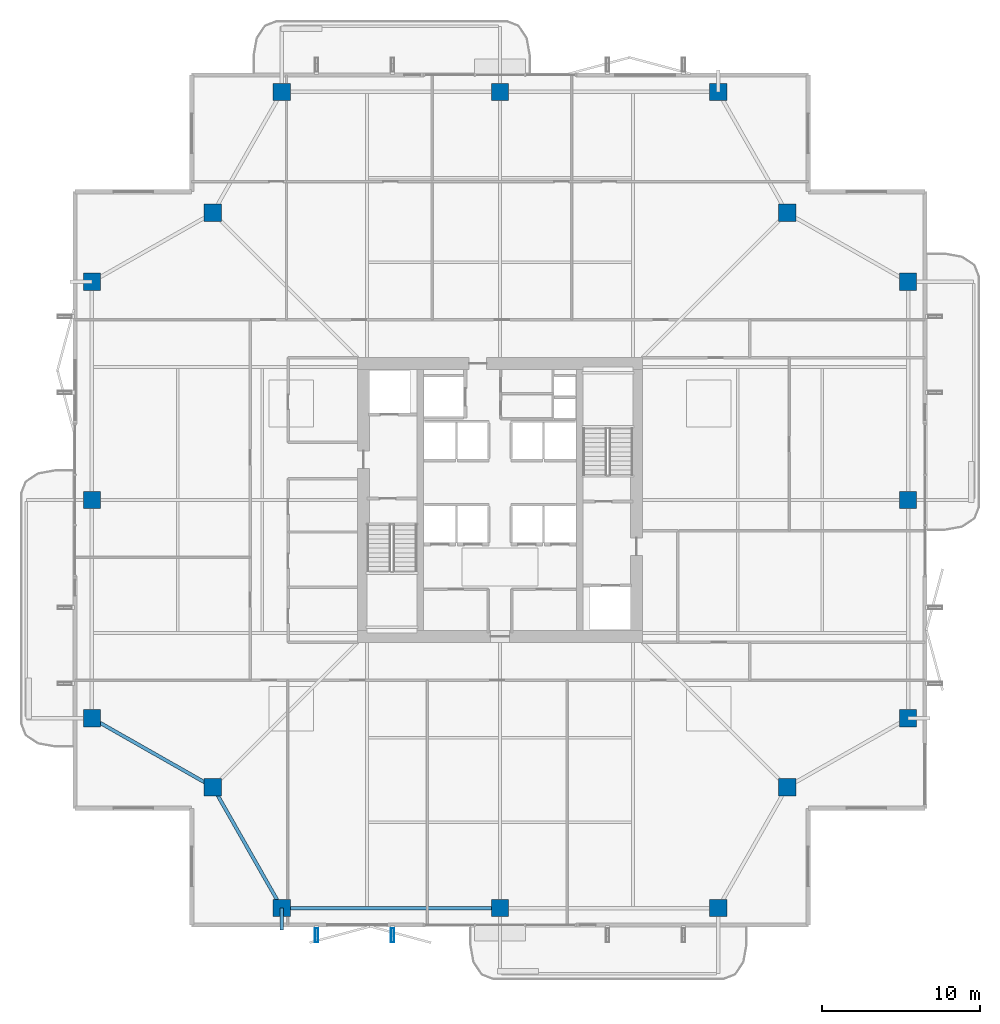
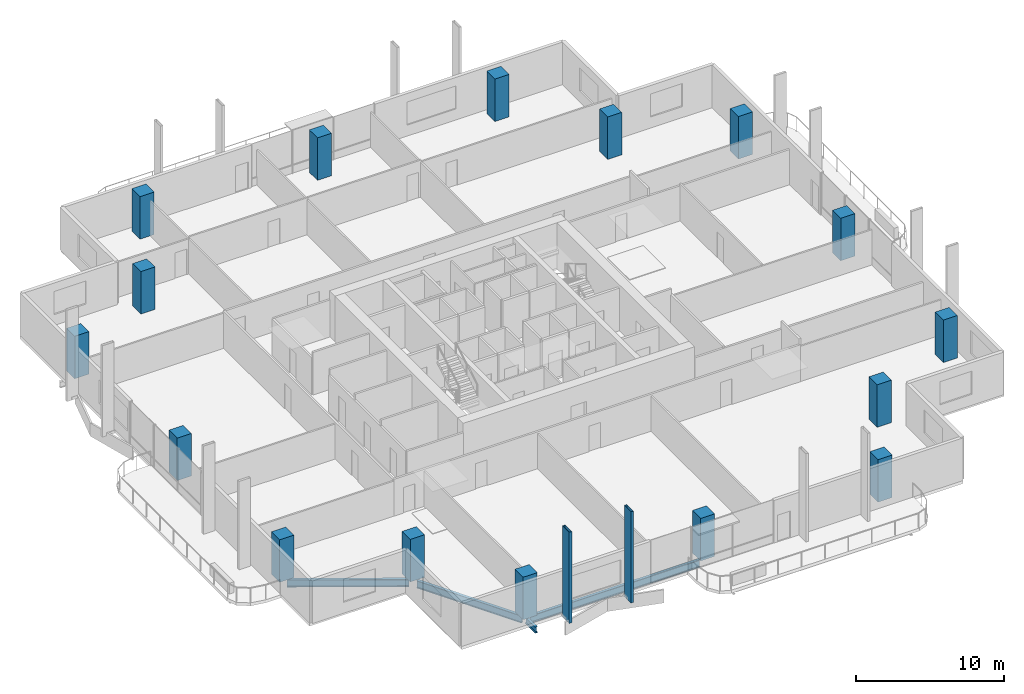
# One storey, part 1 of 24: 16 columns, 4 beams, 2 members.
"""IFC4 building model written with IfcOpenShell, lengths in metres."""

from ifc_helpers import new_model, si_unit, direction, frame, origin, origin_2d, place, context, subcontext, project, spatial, rectangle, hollow_rectangle, i_section, extrude, material, material_profile, profile_set, type_object, element, save


model = new_model("IFC4")

# Units and contexts
model_context = context("Model", 3, precision=1e-05, world=origin(), true_north=direction((0.0, 1.0)))
body_context = subcontext(model_context, "Body", "Model", "MODEL_VIEW")
ifc_project = project(units=[si_unit("LENGTHUNIT", "METRE"), si_unit("AREAUNIT", "SQUARE_METRE"), si_unit("VOLUMEUNIT", "CUBIC_METRE"), si_unit("PLANEANGLEUNIT", "RADIAN"), si_unit("MASSUNIT", "GRAM", prefix="KILO")], contexts=[model_context])

# Site, building, storey
site_placement = place(None, origin())
site = spatial("IfcSite", under=ifc_project, at=site_placement, CompositionType="ELEMENT")
building_placement = place(site_placement, origin())
building = spatial("IfcBuilding", under=site, at=building_placement, Name="Belovzor Exchange Tower", CompositionType="ELEMENT")
storey_placement = place(building_placement, frame((0.0, 0.0, 233.699951171875)))
storey = spatial("IfcBuildingStorey", under=building, at=storey_placement, Name="L58", CompositionType="ELEMENT", Elevation=233.699951171875)

# Columns
ifc_material_1 = material(Name="Concrete C50/60", Category="concrete")
ifc_material_profile_1 = material_profile(ifc_material_1, rectangle(XDim=1.10009765625, YDim=1.10009765625, at=origin_2d()))
ifc_profile_set_1 = profile_set([ifc_material_profile_1], Name="Concrete C50/60")
column_type = type_object("IfcColumnType", Name="Reinforced Concrete Tower Column 1100x1100", PredefinedType="COLUMN", material=ifc_profile_set_1)
for number, where, z_axis, x_axis, name in (
    (1, (15.0, 3.0, 0.0029296875), (0.0, 0.0, 1.0), (1.0, 0.0, 0.0), "COL-T110 Reinforced Concrete Tower Column 1100x1100"),
    (2, (28.800048828125, 3.0, 0.0029296875), (0.0, 0.0, 1.0), (1.0, 0.0, 0.0), "COL-T110 Reinforced Concrete Tower Column 1100x1100"),
    (3, (42.60009765625, 3.0, 0.0029296875), (0.0, 0.0, 1.0), (1.0, 0.0, 0.0), "COL-T110 Reinforced Concrete Tower Column 1100x1100"),
    (4, (54.60009765625, 15.0, 0.0029296875), (0.0, 0.0, 1.0), (1.0, 0.0, 0.0), "COL-T110 Reinforced Concrete Tower Column 1100x1100"),
    (5, (54.60009765625, 28.800048828125, 0.0029296875), (0.0, 0.0, 1.0), (1.0, 0.0, 0.0), "COL-T110 Reinforced Concrete Tower Column 1100x1100"),
    (6, (54.60009765625, 42.60009765625, 0.0029296875), (0.0, 0.0, 1.0), (1.0, 0.0, 0.0), "COL-T110 Reinforced Concrete Tower Column 1100x1100"),
    (7, (42.60009765625, 54.60009765625, 0.0029296875), (0.0, 0.0, 1.0), (1.0, 0.0, 0.0), "COL-T110 Reinforced Concrete Tower Column 1100x1100"),
    (8, (28.800048828125, 54.60009765625, 0.0029296875), (0.0, 0.0, 1.0), (1.0, 0.0, 0.0), "COL-T110 Reinforced Concrete Tower Column 1100x1100"),
    (9, (15.0, 54.60009765625, 0.0029296875), (0.0, 0.0, 1.0), (1.0, 0.0, 0.0), "COL-T110 Reinforced Concrete Tower Column 1100x1100"),
    (10, (3.0, 42.60009765625, 0.0029296875), (0.0, 0.0, 1.0), (1.0, 0.0, 0.0), "COL-T110 Reinforced Concrete Tower Column 1100x1100"),
    (11, (3.0, 28.800048828125, 0.0029296875), (0.0, 0.0, 1.0), (1.0, 0.0, 0.0), "COL-T110 Reinforced Concrete Tower Column 1100x1100"),
    (12, (3.0, 15.0, 0.0029296875), (0.0, 0.0, 1.0), (1.0, 0.0, 0.0), "COL-T110 Reinforced Concrete Tower Column 1100x1100"),
    (13, (10.64990234375, 10.64990234375, 0.0029296875), (0.0, 0.0, 1.0), (1.0, 0.0, 0.0), "COL-T110 Reinforced Concrete Tower Column 1100x1100"),
    (14, (46.949951171875, 10.64990234375, 0.0029296875), (0.0, 0.0, 1.0), (1.0, 0.0, 0.0), "COL-T110 Reinforced Concrete Tower Column 1100x1100"),
    (15, (46.949951171875, 46.949951171875, 0.0029296875), (0.0, 0.0, 1.0), (1.0, 0.0, 0.0), "COL-T110 Reinforced Concrete Tower Column 1100x1100"),
    (16, (10.64990234375, 46.949951171875, 0.0029296875), (0.0, 0.0, 1.0), (1.0, 0.0, 0.0), "COL-T110 Reinforced Concrete Tower Column 1100x1100"),
):
    element("IfcColumn", number, at=place(storey_placement, frame(where, z_axis=z_axis, x_axis=x_axis)), inside=storey, type_object=column_type, Name=name, PredefinedType="COLUMN", context=body_context, shape_type="SweptSolid", body=[
        extrude(rectangle(XDim=1.10009765625, YDim=1.10009765625, at=origin_2d()), origin(), (0.0, 0.0, 1.0), 3.494140625),
    ])

# Beam
ifc_material_2 = material(Name="Steel S355", Category="steel")
ifc_material_profile_2 = material_profile(ifc_material_2, i_section(OverallWidth=0.199951171875, OverallDepth=0.5, WebThickness=0.01025390625, FlangeThickness=0.01611328125, at=origin_2d()))
ifc_profile_set_2 = profile_set([ifc_material_profile_2], Name="Steel S355")
beam_type_1 = type_object("IfcBeamType", Name="Planted Balcony Cantilever Beam IPE 500", PredefinedType="BEAM", material=ifc_profile_set_2)
beam_1_placement = place(storey_placement, frame((15.0, 3.0, -0.5), z_axis=(0.0, -1.0, 0.0), x_axis=(1.0, 0.0, 0.0)))
element("IfcBeam", 17, at=beam_1_placement, inside=storey, type_object=beam_type_1, Name="BC-500 Planted Balcony Cantilever Beam IPE 500", PredefinedType="BEAM", context=body_context, shape_type="SweptSolid", body=[
    extrude(i_section(OverallWidth=0.199951171875, OverallDepth=0.5, WebThickness=0.01025390625, FlangeThickness=0.01611328125, at=origin_2d()), origin(), (0.0, 0.0, 1.0), 1.39990234375),
])

# Members
ifc_material_3 = material(Name="Extruded Architectural Terracotta on Steel S355 Carrier", Category="masonry")
ifc_material_profile_3 = material_profile(ifc_material_3, hollow_rectangle(XDim=0.199951171875, YDim=0.89990234375, WallThickness=0.011962890625, at=origin_2d()))
ifc_profile_set_3 = profile_set([ifc_material_profile_3], Name="Extruded Architectural Terracotta on Steel S355 Carrier")
member_type = type_object("IfcMemberType", Name="Sweeping Terracotta Baguette Fin Assembly 950", PredefinedType="USERDEFINED", material=ifc_profile_set_3)
for number, where, z_axis, x_axis, name in (
    (18, (17.199951171875, 1.27490234375, -0.25), (0.0, 0.0, 1.0), (1.0, 0.0, 0.0), "FIN-TC095 Terracotta Facade Fin L58 S1"),
    (19, (22.0, 1.27490234375, -0.25), (0.0, 0.0, 1.0), (1.0, 0.0, 0.0), "FIN-TC095 Terracotta Facade Fin L58 S2"),
):
    element("IfcMember", number, at=place(storey_placement, frame(where, z_axis=z_axis, x_axis=x_axis)), inside=storey, type_object=member_type, Name=name, ObjectType="FIN", PredefinedType="USERDEFINED", context=body_context, shape_type="SweptSolid", body=[
        extrude(hollow_rectangle(XDim=0.199951171875, YDim=0.89990234375, WallThickness=0.011962890625, at=origin_2d()), origin(), (0.0, 0.0, 1.0), 7.5),
    ])

# Beams
ifc_material_4 = material(Name="Steel S355", Category="steel")
ifc_material_profile_4 = material_profile(ifc_material_4, i_section(OverallWidth=0.219970703125, OverallDepth=0.60009765625, WebThickness=0.011962890625, FlangeThickness=0.01904296875, at=origin_2d()))
ifc_profile_set_4 = profile_set([ifc_material_profile_4], Name="Steel S355")
beam_type_2 = type_object("IfcBeamType", Name="Zone 4 Flare Primary Girder IPE 600", PredefinedType="BEAM", material=ifc_profile_set_4)
beam_2_placement = place(storey_placement, frame((10.800048828125, 10.386962890625, -0.550048828125), z_axis=(0.494222323641, -0.869335547884, 0.0), x_axis=(0.869335547884, 0.494222323641, 0.0)))
element("IfcBeam", 20, at=beam_2_placement, inside=storey, type_object=beam_type_2, Name="FG-Z4 Zone 4 Flare Primary Girder IPE 600", PredefinedType="BEAM", context=body_context, shape_type="SweptSolid", body=[
    extrude(i_section(OverallWidth=0.219970703125, OverallDepth=0.60009765625, WebThickness=0.011962890625, FlangeThickness=0.01904296875, at=origin_2d()), origin(), (0.0, 0.0, 1.0), 8.19482421875),
])
beam_3_placement = place(storey_placement, frame((15.302978515625, 3.0, -0.550048828125), z_axis=(1.0, 0.0, 0.0), x_axis=(0.0, 1.0, 0.0)))
element("IfcBeam", 21, at=beam_3_placement, inside=storey, type_object=beam_type_2, Name="FG-Z4 Zone 4 Flare Primary Girder IPE 600", PredefinedType="BEAM", context=body_context, shape_type="SweptSolid", body=[
    extrude(i_section(OverallWidth=0.219970703125, OverallDepth=0.60009765625, WebThickness=0.011962890625, FlangeThickness=0.01904296875, at=origin_2d()), origin(), (0.0, 0.0, 1.0), 13.195068359375),
])
beam_4_placement = place(storey_placement, frame((3.262939453125, 14.85009765625, -0.550048828125), z_axis=(0.869335547884, -0.494222323641, 0.0), x_axis=(0.494222323641, 0.869335547884, 0.0)))
element("IfcBeam", 22, at=beam_4_placement, inside=storey, type_object=beam_type_2, Name="FG-Z4 Zone 4 Flare Primary Girder IPE 600", PredefinedType="BEAM", context=body_context, shape_type="SweptSolid", body=[
    extrude(i_section(OverallWidth=0.219970703125, OverallDepth=0.60009765625, WebThickness=0.011962890625, FlangeThickness=0.01904296875, at=origin_2d()), origin(), (0.0, 0.0, 1.0), 8.19482421875),
])

save(model, "model.ifc")
